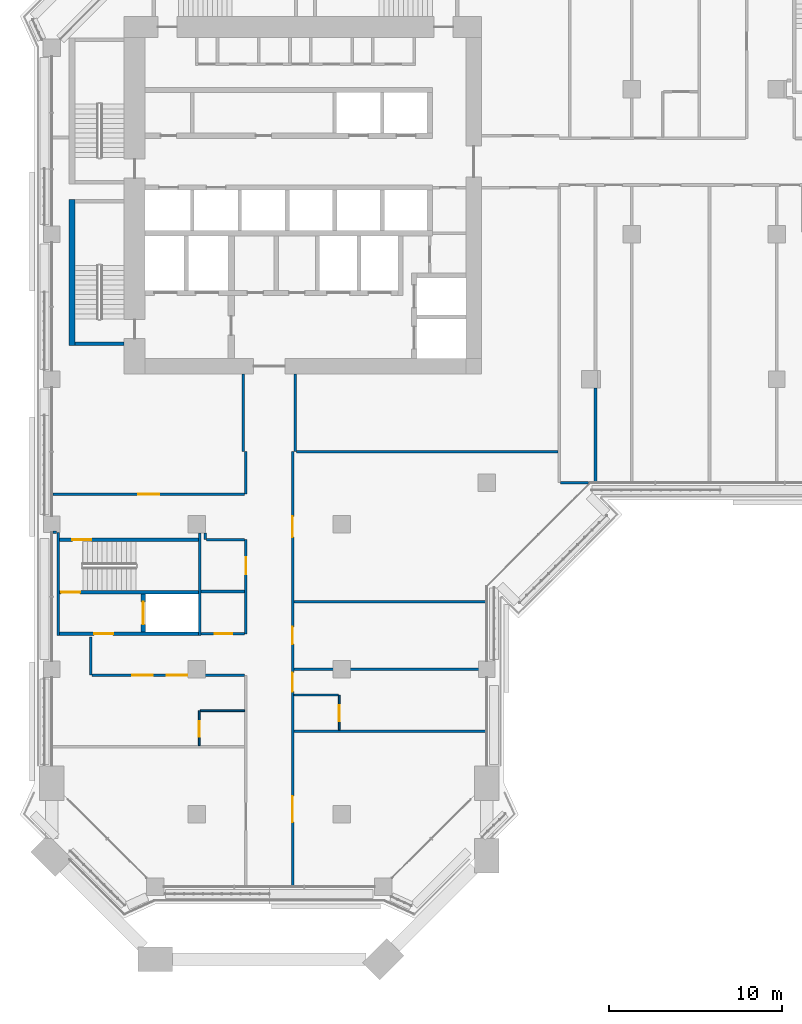
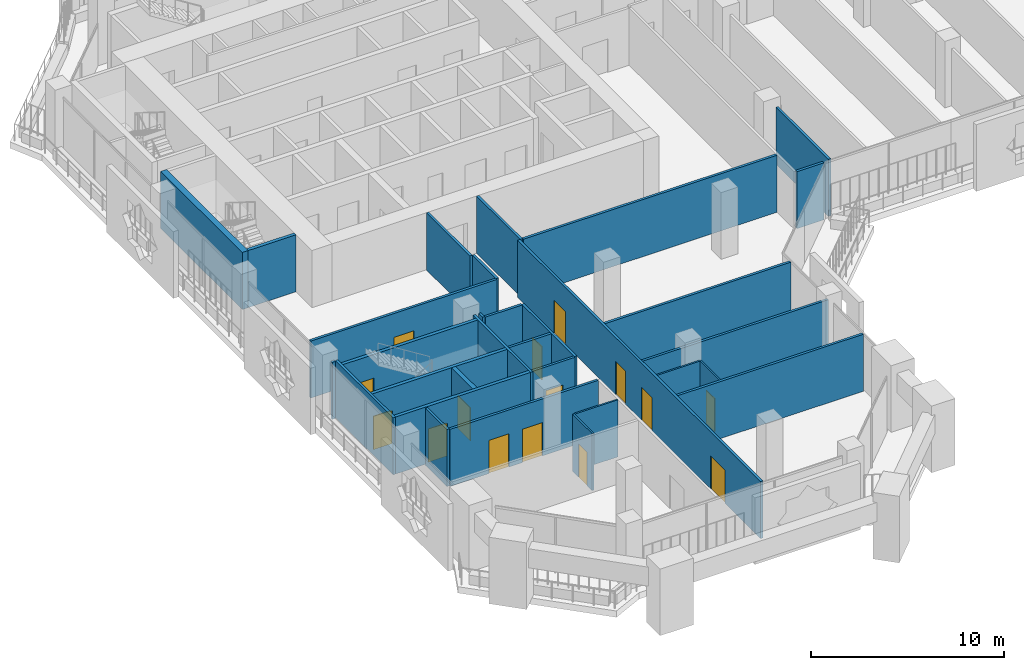
# One storey, part 10 of 23: 31 walls, 15 doors, 15 openings.
"""IFC4 building model written with IfcOpenShell, lengths in metres."""

from ifc_helpers import new_model, si_unit, direction, frame, frame_2d, origin, place, context, subcontext, project, spatial, rectangle, extrude, material, layer, layer_set, type_object, element, fill, save


model = new_model("IFC4")

# Units and contexts
model_context = context("Model", 3, precision=1e-05, world=origin(), true_north=direction((0.0, 1.0)))
body_context = subcontext(model_context, "Body", "Model", "MODEL_VIEW")
ifc_project = project(units=[si_unit("LENGTHUNIT", "METRE"), si_unit("AREAUNIT", "SQUARE_METRE"), si_unit("VOLUMEUNIT", "CUBIC_METRE"), si_unit("PLANEANGLEUNIT", "RADIAN"), si_unit("MASSUNIT", "GRAM", prefix="KILO")], contexts=[model_context])

# Site, building, storey
site_placement = place(None, origin())
site = spatial("IfcSite", under=ifc_project, at=site_placement, CompositionType="ELEMENT")
building_placement = place(site_placement, origin())
building = spatial("IfcBuilding", under=site, at=building_placement, Name="Kawkab Arch Medical Tower", CompositionType="ELEMENT")
storey_placement = place(building_placement, frame((0.0, 0.0, 175.199951171875)))
storey = spatial("IfcBuildingStorey", under=building, at=storey_placement, Name="L40", CompositionType="ELEMENT", Elevation=175.199951171875)

# Wall, opening, door
ifc_material_1 = material(Name="Concrete C60/75", Category="concrete")
ifc_layer_1 = layer(ifc_material_1, 0.25)
ifc_layer_set_1 = layer_set([ifc_layer_1], Name="Concrete C60/75")
wall_type_1 = type_object("IfcWallType", Name="Core shear wall 250 C60/75", PredefinedType="SHEAR", material=ifc_layer_set_1)
wall_1_placement = place(storey_placement, frame((5.300048828125, -39.85009765625, 0.0), z_axis=(0.0, 0.0, 1.0), x_axis=(0.0, 1.0, 0.0)))
wall_1 = element("IfcWall", 1, at=wall_1_placement, inside=storey, type_object=wall_type_1, Name="L40 core shear wall", PredefinedType="SHEAR", context=body_context, shape_type="SweptSolid", body=[
    extrude(rectangle(XDim=2.2001953125, YDim=0.25, at=frame_2d((1.10009765625, 0.0))), origin(), (0.0, 0.0, 1.0), 3.60009765625),
])
opening_1_placement = place(wall_1_placement, frame((0.449951171875, 0.0, 0.0)))
opening_1 = element("IfcOpeningElement", 2, at=opening_1_placement, cuts=wall_1, Name="Opening LD2", PredefinedType="OPENING", context=body_context, shape_type="SweptSolid", body=[
    extrude(rectangle(XDim=1.300048828125, YDim=2.10009765625, at=frame_2d((0.64990234375, 1.050048828125))), frame((0.0, 0.135009765625, 0.0), z_axis=(0.0, -1.0, 0.0), x_axis=(1.0, 0.0, 0.0)), (0.0, 0.0, 1.0), 0.27001953125),
])
ifc_material_2 = material(Name="Stainless steel lift door leaf", Category="steel")
door_type_1 = type_object("IfcDoorType", Name="Lift landing door 1300", OperationType="DOUBLE_DOOR_SLIDING", PredefinedType="DOOR", material=ifc_material_2)
door_1_placement = place(opening_1_placement, origin())
door_1 = element("IfcDoor", 3, at=door_1_placement, inside=storey, type_object=door_type_1, Name="L40 Lift landing door SV2", OperationType="DOUBLE_DOOR_SLIDING", OverallHeight=2.10009765625, OverallWidth=1.300048828125, PredefinedType="DOOR", context=body_context, shape_type="SweptSolid", body=[
    extrude(rectangle(XDim=1.300048828125, YDim=2.10009765625, at=frame_2d((0.64990234375, 1.050048828125))), frame((0.0, 0.02490234375, 0.0), z_axis=(0.0, -1.0, 0.0), x_axis=(1.0, 0.0, 0.0)), (0.0, 0.0, 1.0), 0.050048828125),
])
fill(opening_1, door_1)

# Walls
ifc_material_3 = material(Name="Gypsum board partition on steel studs", Category="steel")
ifc_layer_2 = layer(ifc_material_3, 0.10009765625)
ifc_layer_set_2 = layer_set([ifc_layer_2], Name="Gypsum board partition on steel studs")
wall_type_2 = type_object("IfcWallType", Name="Partition 100", PredefinedType="PARTITIONING", material=ifc_layer_set_2)
wall_2_placement = place(storey_placement, frame((8.60009765625, -44.39990234375, 0.0), z_axis=(0.0, 0.0, 1.0), x_axis=(1.0, 0.0, 0.0)))
element("IfcWall", 4, at=wall_2_placement, inside=storey, type_object=wall_type_2, Name="Partition 100 w001", PredefinedType="PARTITIONING", context=body_context, shape_type="SweptSolid", body=[
    extrude(rectangle(XDim=2.574951171875, YDim=0.10009765625, at=frame_2d((1.28759765625, 0.0))), origin(), (0.0, 0.0, 1.0), 3.60009765625),
])
wall_3_placement = place(storey_placement, frame((14.02490234375, -43.5, 0.0), z_axis=(0.0, 0.0, 1.0), x_axis=(1.0, 0.0, 0.0)))
element("IfcWall", 5, at=wall_3_placement, inside=storey, type_object=wall_type_2, Name="Partition 100 w002", PredefinedType="PARTITIONING", context=body_context, shape_type="SweptSolid", body=[
    extrude(rectangle(XDim=2.5751953125, YDim=0.10009765625, at=frame_2d((1.28759765625, 0.0))), origin(), (0.0, 0.0, 1.0), 3.60009765625),
])

# Wall, opening, door
wall_4_placement = place(storey_placement, frame((8.550048828125, -46.425048828125, 0.0), z_axis=(0.0, 0.0, 1.0), x_axis=(0.0, 1.0, 0.0)))
wall_4 = element("IfcWall", 6, at=wall_4_placement, inside=storey, type_object=wall_type_2, Name="Partition 100 w007", PredefinedType="PARTITIONING", context=body_context, shape_type="SweptSolid", body=[
    extrude(rectangle(XDim=2.025146484375, YDim=0.10009765625, at=frame_2d((1.0126953125, 0.0))), origin(), (0.0, 0.0, 1.0), 3.60009765625),
])
opening_2_placement = place(wall_4_placement, frame((0.52490234375, 0.0, 0.0)))
opening_2 = element("IfcOpeningElement", 7, at=opening_2_placement, cuts=wall_4, Name="Opening W40-010", PredefinedType="OPENING", context=body_context, shape_type="SweptSolid", body=[
    extrude(rectangle(XDim=0.89990234375, YDim=2.10009765625, at=frame_2d((0.449951171875, 1.050048828125))), frame((0.0, 0.06005859375, 0.0), z_axis=(0.0, -1.0, 0.0), x_axis=(1.0, 0.0, 0.0)), (0.0, 0.0, 1.0), 0.1201171875),
])
ifc_material_4 = material(Name="Timber door leaf", Category="wood")
door_type_2 = type_object("IfcDoorType", Name="Single door 900x2100", OperationType="NOTDEFINED", PredefinedType="DOOR", material=ifc_material_4)
door_2_placement = place(opening_2_placement, origin())
door_2 = element("IfcDoor", 8, at=door_2_placement, inside=storey, type_object=door_type_2, Name="Door W40-010", OperationType="SINGLE_SWING_LEFT", OverallHeight=2.10009765625, OverallWidth=0.89990234375, PredefinedType="DOOR", context=body_context, shape_type="SweptSolid", body=[
    extrude(rectangle(XDim=0.89990234375, YDim=2.10009765625, at=frame_2d((0.449951171875, 1.050048828125))), frame((0.0, 0.02490234375, 0.0), z_axis=(0.0, -1.0, 0.0), x_axis=(1.0, 0.0, 0.0)), (0.0, 0.0, 1.0), 0.050048828125),
])
fill(opening_2, door_2)

wall_5_placement = place(storey_placement, frame((16.64990234375, -45.52490234375, 0.0), z_axis=(0.0, 0.0, 1.0), x_axis=(0.0, 1.0, 0.0)))
wall_5 = element("IfcWall", 9, at=wall_5_placement, inside=storey, type_object=wall_type_2, Name="Partition 100 w008", PredefinedType="PARTITIONING", context=body_context, shape_type="SweptSolid", body=[
    extrude(rectangle(XDim=2.02490234375, YDim=0.10009765625, at=frame_2d((1.012451171875, 0.0))), origin(), (0.0, 0.0, 1.0), 3.60009765625),
])
opening_3_placement = place(wall_5_placement, frame((0.52490234375, 0.0, 0.0)))
opening_3 = element("IfcOpeningElement", 10, at=opening_3_placement, cuts=wall_5, Name="Opening W40-011", PredefinedType="OPENING", context=body_context, shape_type="SweptSolid", body=[
    extrude(rectangle(XDim=0.89990234375, YDim=2.10009765625, at=frame_2d((0.449951171875, 1.050048828125))), frame((0.0, 0.06005859375, 0.0), z_axis=(0.0, -1.0, 0.0), x_axis=(1.0, 0.0, 0.0)), (0.0, 0.0, 1.0), 0.1201171875),
])
door_3_placement = place(opening_3_placement, origin())
door_3 = element("IfcDoor", 11, at=door_3_placement, inside=storey, type_object=door_type_2, Name="Door W40-011", OperationType="SINGLE_SWING_LEFT", OverallHeight=2.10009765625, OverallWidth=0.89990234375, PredefinedType="DOOR", context=body_context, shape_type="SweptSolid", body=[
    extrude(rectangle(XDim=0.89990234375, YDim=2.10009765625, at=frame_2d((0.449951171875, 1.050048828125))), frame((0.0, 0.02490234375, 0.0), z_axis=(0.0, -1.0, 0.0), x_axis=(1.0, 0.0, 0.0)), (0.0, 0.0, 1.0), 0.050048828125),
])
fill(opening_3, door_3)

# Wall
ifc_material_5 = material(Name="Gypsum board partition on steel studs, mineral wool", Category="steel")
ifc_layer_3 = layer(ifc_material_5, 0.14990234375)
ifc_layer_set_3 = layer_set([ifc_layer_3], Name="Gypsum board partition on steel studs, mineral wool")
wall_type_3 = type_object("IfcWallType", Name="Partition 150", PredefinedType="PARTITIONING", material=ifc_layer_set_3)
wall_6_placement = place(storey_placement, frame((14.02490234375, -45.60009765625, 0.0), z_axis=(0.0, 0.0, 1.0), x_axis=(1.0, 0.0, 0.0)))
element("IfcWall", 12, at=wall_6_placement, inside=storey, type_object=wall_type_3, Name="Partition 150 w016", PredefinedType="PARTITIONING", context=body_context, shape_type="SweptSolid", body=[
    extrude(rectangle(XDim=11.09521484375, YDim=0.14990234375, at=frame_2d((5.547607421875, 0.0))), origin(), (0.0, 0.0, 1.0), 3.60009765625),
])

# Wall, openings, doors
wall_7_placement = place(storey_placement, frame((2.326904296875, -42.35009765625, 0.0), z_axis=(0.0, 0.0, 1.0), x_axis=(1.0, 0.0, 0.0)))
wall_7 = element("IfcWall", 13, at=wall_7_placement, inside=storey, type_object=wall_type_3, Name="Partition 150 w017", PredefinedType="PARTITIONING", context=body_context, shape_type="SweptSolid", body=[
    extrude(rectangle(XDim=8.84814453125, YDim=0.14990234375, at=frame_2d((4.424072265625, 0.0))), origin(), (0.0, 0.0, 1.0), 3.60009765625),
])
opening_4_placement = place(wall_7_placement, frame((4.323974609375, 0.0, 0.0)))
opening_4 = element("IfcOpeningElement", 14, at=opening_4_placement, cuts=wall_7, Name="Opening W40-034", PredefinedType="OPENING", context=body_context, shape_type="SweptSolid", body=[
    extrude(rectangle(XDim=1.199951171875, YDim=2.10009765625, at=frame_2d((0.60009765625, 1.050048828125))), frame((0.0, 0.0849609375, 0.0), z_axis=(0.0, -1.0, 0.0), x_axis=(1.0, 0.0, 0.0)), (0.0, 0.0, 1.0), 0.169921875),
])
opening_5_placement = place(wall_7_placement, frame((2.323974609375, 0.0, 0.0)))
opening_5 = element("IfcOpeningElement", 15, at=opening_5_placement, cuts=wall_7, Name="Opening W40-035", PredefinedType="OPENING", context=body_context, shape_type="SweptSolid", body=[
    extrude(rectangle(XDim=1.199951171875, YDim=2.10009765625, at=frame_2d((0.60009765625, 1.050048828125))), frame((0.0, 0.0849609375, 0.0), z_axis=(0.0, -1.0, 0.0), x_axis=(1.0, 0.0, 0.0)), (0.0, 0.0, 1.0), 0.169921875),
])
ifc_material_6 = material(Name="Hollow metal door leaf")
door_type_3 = type_object("IfcDoorType", Name="Single door 1200x2100 FD30S", OperationType="NOTDEFINED", PredefinedType="DOOR", material=ifc_material_6)
door_4_placement = place(opening_4_placement, origin())
door_4 = element("IfcDoor", 16, at=door_4_placement, inside=storey, type_object=door_type_3, Name="Door W40-034", OperationType="SINGLE_SWING_LEFT", OverallHeight=2.10009765625, OverallWidth=1.199951171875, PredefinedType="DOOR", context=body_context, shape_type="SweptSolid", body=[
    extrude(rectangle(XDim=1.199951171875, YDim=2.10009765625, at=frame_2d((0.60009765625, 1.050048828125))), frame((0.0, 0.02490234375, 0.0), z_axis=(0.0, -1.0, 0.0), x_axis=(1.0, 0.0, 0.0)), (0.0, 0.0, 1.0), 0.050048828125),
])
fill(opening_4, door_4)
door_5_placement = place(opening_5_placement, origin())
door_5 = element("IfcDoor", 17, at=door_5_placement, inside=storey, type_object=door_type_3, Name="Door W40-035", OperationType="SINGLE_SWING_RIGHT", OverallHeight=2.10009765625, OverallWidth=1.199951171875, PredefinedType="DOOR", context=body_context, shape_type="SweptSolid", body=[
    extrude(rectangle(XDim=1.199951171875, YDim=2.10009765625, at=frame_2d((0.60009765625, 1.050048828125))), frame((0.0, 0.02490234375, 0.0), z_axis=(0.0, -1.0, 0.0), x_axis=(1.0, 0.0, 0.0)), (0.0, 0.0, 1.0), 0.050048828125),
])
fill(opening_5, door_5)

# Wall
wall_8_placement = place(storey_placement, frame((14.02490234375, -42.0, 0.0), z_axis=(0.0, 0.0, 1.0), x_axis=(1.0, 0.0, 0.0)))
element("IfcWall", 18, at=wall_8_placement, inside=storey, type_object=wall_type_3, Name="Partition 150 w018", PredefinedType="PARTITIONING", context=body_context, shape_type="SweptSolid", body=[
    extrude(rectangle(XDim=11.09521484375, YDim=0.14990234375, at=frame_2d((5.547607421875, 0.0))), origin(), (0.0, 0.0, 1.0), 3.60009765625),
])

# Wall, opening, door
wall_9_placement = place(storey_placement, frame((8.64990234375, -39.949951171875, 0.0), z_axis=(0.0, 0.0, 1.0), x_axis=(1.0, 0.0, 0.0)))
wall_9 = element("IfcWall", 19, at=wall_9_placement, inside=storey, type_object=wall_type_3, Name="Partition 150 w019", PredefinedType="PARTITIONING", context=body_context, shape_type="SweptSolid", body=[
    extrude(rectangle(XDim=2.525146484375, YDim=0.14990234375, at=frame_2d((1.2626953125, 0.0))), origin(), (0.0, 0.0, 1.0), 3.60009765625),
])
opening_6_placement = place(wall_9_placement, frame((0.800048828125, 0.0, 0.0)))
opening_6 = element("IfcOpeningElement", 20, at=opening_6_placement, cuts=wall_9, Name="Opening W40-024", PredefinedType="OPENING", context=body_context, shape_type="SweptSolid", body=[
    extrude(rectangle(XDim=1.0, YDim=2.10009765625, at=frame_2d((0.5, 1.050048828125))), frame((0.0, 0.0849609375, 0.0), z_axis=(0.0, -1.0, 0.0), x_axis=(1.0, 0.0, 0.0)), (0.0, 0.0, 1.0), 0.169921875),
])
ifc_material_7 = material(Name="Hollow metal door leaf")
door_type_4 = type_object("IfcDoorType", Name="Single door 1000x2100 FD30S", OperationType="NOTDEFINED", PredefinedType="DOOR", material=ifc_material_7)
door_6_placement = place(opening_6_placement, origin())
door_6 = element("IfcDoor", 21, at=door_6_placement, inside=storey, type_object=door_type_4, Name="Door W40-024", OperationType="SINGLE_SWING_RIGHT", OverallHeight=2.10009765625, OverallWidth=1.0, PredefinedType="DOOR", context=body_context, shape_type="SweptSolid", body=[
    extrude(rectangle(XDim=1.0, YDim=2.10009765625, at=frame_2d((0.5, 1.050048828125))), frame((0.0, 0.02490234375, 0.0), z_axis=(0.0, -1.0, 0.0), x_axis=(1.0, 0.0, 0.0)), (0.0, 0.0, 1.0), 0.050048828125),
])
fill(opening_6, door_6)

# Walls
wall_10_placement = place(storey_placement, frame((14.02490234375, -38.10009765625, 0.0), z_axis=(0.0, 0.0, 1.0), x_axis=(1.0, 0.0, 0.0)))
element("IfcWall", 22, at=wall_10_placement, inside=storey, type_object=wall_type_3, Name="Partition 150 w020", PredefinedType="PARTITIONING", context=body_context, shape_type="SweptSolid", body=[
    extrude(rectangle(XDim=11.09521484375, YDim=0.14990234375, at=frame_2d((5.547607421875, 0.0))), origin(), (0.0, 0.0, 1.0), 3.60009765625),
])
wall_11_placement = place(storey_placement, frame((8.64990234375, -37.5, 0.0), z_axis=(0.0, 0.0, 1.0), x_axis=(1.0, 0.0, 0.0)))
element("IfcWall", 23, at=wall_11_placement, inside=storey, type_object=wall_type_3, Name="Partition 150 w021", PredefinedType="PARTITIONING", context=body_context, shape_type="SweptSolid", body=[
    extrude(rectangle(XDim=2.525146484375, YDim=0.14990234375, at=frame_2d((1.2626953125, 0.0))), origin(), (0.0, 0.0, 1.0), 3.60009765625),
])
wall_12_placement = place(storey_placement, frame((8.97509765625, -34.5, 0.0), z_axis=(0.0, 0.0, 1.0), x_axis=(1.0, 0.0, 0.0)))
element("IfcWall", 24, at=wall_12_placement, inside=storey, type_object=wall_type_3, Name="Partition 150 w022", PredefinedType="PARTITIONING", context=body_context, shape_type="SweptSolid", body=[
    extrude(rectangle(XDim=2.199951171875, YDim=0.14990234375, at=frame_2d((1.10009765625, 0.0))), origin(), (0.0, 0.0, 1.0), 3.60009765625),
])
wall_13_placement = place(storey_placement, frame((0.080078125, -34.074951171875, 0.0), z_axis=(0.0, 0.0, 1.0), x_axis=(1.0, 0.0, 0.0)))
element("IfcWall", 25, at=wall_13_placement, inside=storey, type_object=wall_type_3, Name="Partition 150 w023", PredefinedType="PARTITIONING", context=body_context, shape_type="SweptSolid", body=[
    extrude(rectangle(XDim=0.18994140625, YDim=0.14990234375, at=frame_2d((0.094970703125, 0.0))), origin(), (0.0, 0.0, 1.0), 3.60009765625),
])

# Wall, opening, door
wall_14_placement = place(storey_placement, frame((0.080078125, -31.85693359375, 0.0), z_axis=(0.0, 0.0, 1.0), x_axis=(1.0, 0.0, 0.0)))
wall_14 = element("IfcWall", 26, at=wall_14_placement, inside=storey, type_object=wall_type_3, Name="Partition 150 w024", PredefinedType="PARTITIONING", context=body_context, shape_type="SweptSolid", body=[
    extrude(rectangle(XDim=11.094970703125, YDim=0.14990234375, at=frame_2d((5.54736328125, 0.0))), origin(), (0.0, 0.0, 1.0), 3.60009765625),
])
opening_7_placement = place(wall_14_placement, frame((4.945068359375, 0.0, 0.0)))
opening_7 = element("IfcOpeningElement", 27, at=opening_7_placement, cuts=wall_14, Name="Opening W40-033", PredefinedType="OPENING", context=body_context, shape_type="SweptSolid", body=[
    extrude(rectangle(XDim=1.199951171875, YDim=2.10009765625, at=frame_2d((0.60009765625, 1.050048828125))), frame((0.0, 0.0849609375, 0.0), z_axis=(0.0, -1.0, 0.0), x_axis=(1.0, 0.0, 0.0)), (0.0, 0.0, 1.0), 0.169921875),
])
door_7_placement = place(opening_7_placement, origin())
door_7 = element("IfcDoor", 28, at=door_7_placement, inside=storey, type_object=door_type_3, Name="Door W40-033", OperationType="SINGLE_SWING_RIGHT", OverallHeight=2.10009765625, OverallWidth=1.199951171875, PredefinedType="DOOR", context=body_context, shape_type="SweptSolid", body=[
    extrude(rectangle(XDim=1.199951171875, YDim=2.10009765625, at=frame_2d((0.60009765625, 1.050048828125))), frame((0.0, 0.02490234375, 0.0), z_axis=(0.0, -1.0, 0.0), x_axis=(1.0, 0.0, 0.0)), (0.0, 0.0, 1.0), 0.050048828125),
])
fill(opening_7, door_7)

# Walls
wall_15_placement = place(storey_placement, frame((29.47705078125, -31.199951171875, 0.0), z_axis=(0.0, 0.0, 1.0), x_axis=(1.0, 0.0, 0.0)))
element("IfcWall", 29, at=wall_15_placement, inside=storey, type_object=wall_type_3, Name="Partition 150 w025", PredefinedType="PARTITIONING", context=body_context, shape_type="SweptSolid", body=[
    extrude(rectangle(XDim=1.60986328125, YDim=0.14990234375, at=frame_2d((0.804931640625, 0.0))), origin(), (0.0, 0.0, 1.0), 3.60009765625),
])
wall_16_placement = place(storey_placement, frame((14.175048828125, -29.39990234375, 0.0), z_axis=(0.0, 0.0, 1.0), x_axis=(1.0, 0.0, 0.0)))
element("IfcWall", 30, at=wall_16_placement, inside=storey, type_object=wall_type_3, Name="Partition 150 w026", PredefinedType="PARTITIONING", context=body_context, shape_type="SweptSolid", body=[
    extrude(rectangle(XDim=15.14990234375, YDim=0.14990234375, at=frame_2d((7.574951171875, 0.0))), origin(), (0.0, 0.0, 1.0), 3.60009765625),
])
wall_17_placement = place(storey_placement, frame((2.25, -42.34912109375, 0.0), z_axis=(0.0, 0.0, 1.0), x_axis=(0.0, 1.0, 0.0)))
element("IfcWall", 31, at=wall_17_placement, inside=storey, type_object=wall_type_3, Name="Partition 150 w037", PredefinedType="PARTITIONING", context=body_context, shape_type="SweptSolid", body=[
    extrude(rectangle(XDim=2.21923828125, YDim=0.14990234375, at=frame_2d((1.109619140625, 0.0))), origin(), (0.0, 0.0, 1.0), 3.60009765625),
])
wall_18_placement = place(storey_placement, frame((8.89990234375, -34.5, 0.0), z_axis=(0.0, 0.0, 1.0), x_axis=(0.0, 1.0, 0.0)))
element("IfcWall", 32, at=wall_18_placement, inside=storey, type_object=wall_type_3, Name="Partition 150 w038", PredefinedType="PARTITIONING", context=body_context, shape_type="SweptSolid", body=[
    extrude(rectangle(XDim=0.39892578125, YDim=0.14990234375, at=frame_2d((0.199462890625, 0.0))), origin(), (0.0, 0.0, 1.0), 3.60009765625),
])
wall_19_placement = place(storey_placement, frame((11.10009765625, -29.39794921875, 0.0), z_axis=(0.0, 0.0, 1.0), x_axis=(0.0, 1.0, 0.0)))
element("IfcWall", 33, at=wall_19_placement, inside=storey, type_object=wall_type_3, Name="Partition 150 w039", PredefinedType="PARTITIONING", context=body_context, shape_type="SweptSolid", body=[
    extrude(rectangle(XDim=4.498046875, YDim=0.14990234375, at=frame_2d((2.2490234375, 0.0))), origin(), (0.0, 0.0, 1.0), 3.60009765625),
])

# Wall, opening, door
wall_20_placement = place(storey_placement, frame((11.25, -39.949951171875, 0.0), z_axis=(0.0, 0.0, 1.0), x_axis=(0.0, 1.0, 0.0)))
wall_20 = element("IfcWall", 34, at=wall_20_placement, inside=storey, type_object=wall_type_3, Name="Partition 150 w041", PredefinedType="PARTITIONING", context=body_context, shape_type="SweptSolid", body=[
    extrude(rectangle(XDim=5.449951171875, YDim=0.14990234375, at=frame_2d((2.72509765625, 0.0))), origin(), (0.0, 0.0, 1.0), 3.60009765625),
])
opening_8_placement = place(wall_20_placement, frame((3.449951171875, 0.0, 0.0)))
opening_8 = element("IfcOpeningElement", 35, at=opening_8_placement, cuts=wall_20, Name="Opening W40-023", PredefinedType="OPENING", context=body_context, shape_type="SweptSolid", body=[
    extrude(rectangle(XDim=1.0, YDim=2.10009765625, at=frame_2d((0.5, 1.050048828125))), frame((0.0, 0.0849609375, 0.0), z_axis=(0.0, -1.0, 0.0), x_axis=(1.0, 0.0, 0.0)), (0.0, 0.0, 1.0), 0.169921875),
])
door_8_placement = place(opening_8_placement, origin())
door_8 = element("IfcDoor", 36, at=door_8_placement, inside=storey, type_object=door_type_4, Name="Door W40-023", OperationType="SINGLE_SWING_RIGHT", OverallHeight=2.10009765625, OverallWidth=1.0, PredefinedType="DOOR", context=body_context, shape_type="SweptSolid", body=[
    extrude(rectangle(XDim=1.0, YDim=2.10009765625, at=frame_2d((0.5, 1.050048828125))), frame((0.0, 0.02490234375, 0.0), z_axis=(0.0, -1.0, 0.0), x_axis=(1.0, 0.0, 0.0)), (0.0, 0.0, 1.0), 0.050048828125),
])
fill(opening_8, door_8)

# Wall
wall_21_placement = place(storey_placement, frame((11.25, -31.85693359375, 0.0), z_axis=(0.0, 0.0, 1.0), x_axis=(0.0, 1.0, 0.0)))
element("IfcWall", 37, at=wall_21_placement, inside=storey, type_object=wall_type_3, Name="Partition 150 w042", PredefinedType="PARTITIONING", context=body_context, shape_type="SweptSolid", body=[
    extrude(rectangle(XDim=2.45703125, YDim=0.14990234375, at=frame_2d((1.228515625, 0.0))), origin(), (0.0, 0.0, 1.0), 3.60009765625),
])

# Wall, openings, doors
wall_22_placement = place(storey_placement, frame((13.949951171875, -54.52001953125, 0.0), z_axis=(0.0, 0.0, 1.0), x_axis=(0.0, 1.0, 0.0)))
wall_22 = element("IfcWall", 38, at=wall_22_placement, inside=storey, type_object=wall_type_3, Name="Partition 150 w043", PredefinedType="PARTITIONING", context=body_context, shape_type="SweptSolid", body=[
    extrude(rectangle(XDim=25.1201171875, YDim=0.14990234375, at=frame_2d((12.56005859375, 0.0))), origin(), (0.0, 0.0, 1.0), 3.60009765625),
])
opening_9_placement = place(wall_22_placement, frame((20.169921875, 0.0, 0.0)))
opening_9 = element("IfcOpeningElement", 39, at=opening_9_placement, cuts=wall_22, Name="Opening W40-036", PredefinedType="OPENING", context=body_context, shape_type="SweptSolid", body=[
    extrude(rectangle(XDim=1.199951171875, YDim=2.10009765625, at=frame_2d((0.60009765625, 1.050048828125))), frame((0.0, 0.0849609375, 0.0), z_axis=(0.0, -1.0, 0.0), x_axis=(1.0, 0.0, 0.0)), (0.0, 0.0, 1.0), 0.169921875),
])
opening_10_placement = place(wall_22_placement, frame((13.969970703125, 0.0, 0.0)))
opening_10 = element("IfcOpeningElement", 40, at=opening_10_placement, cuts=wall_22, Name="Opening W40-025", PredefinedType="OPENING", context=body_context, shape_type="SweptSolid", body=[
    extrude(rectangle(XDim=1.0, YDim=2.10009765625, at=frame_2d((0.5, 1.050048828125))), frame((0.0, 0.0849609375, 0.0), z_axis=(0.0, -1.0, 0.0), x_axis=(1.0, 0.0, 0.0)), (0.0, 0.0, 1.0), 0.169921875),
])
opening_11_placement = place(wall_22_placement, frame((11.219970703125, 0.0, 0.0)))
opening_11 = element("IfcOpeningElement", 41, at=opening_11_placement, cuts=wall_22, Name="Opening W40-027", PredefinedType="OPENING", context=body_context, shape_type="SweptSolid", body=[
    extrude(rectangle(XDim=1.10009765625, YDim=2.10009765625, at=frame_2d((0.550048828125, 1.050048828125))), frame((0.0, 0.0849609375, 0.0), z_axis=(0.0, -1.0, 0.0), x_axis=(1.0, 0.0, 0.0)), (0.0, 0.0, 1.0), 0.169921875),
])
opening_12_placement = place(wall_22_placement, frame((3.669921875, 0.0, 0.0)))
opening_12 = element("IfcOpeningElement", 42, at=opening_12_placement, cuts=wall_22, Name="Opening W40-004", PredefinedType="OPENING", context=body_context, shape_type="SweptSolid", body=[
    extrude(rectangle(XDim=1.5, YDim=2.10009765625, at=frame_2d((0.75, 1.050048828125))), frame((0.0, 0.0849609375, 0.0), z_axis=(0.0, -1.0, 0.0), x_axis=(1.0, 0.0, 0.0)), (0.0, 0.0, 1.0), 0.169921875),
])
ifc_material_8 = material(Name="Hollow metal door leaf")
door_type_5 = type_object("IfcDoorType", Name="Double door 1500x2100 FD30S", OperationType="NOTDEFINED", PredefinedType="DOOR", material=ifc_material_8)
door_9_placement = place(opening_12_placement, origin())
door_9 = element("IfcDoor", 43, at=door_9_placement, inside=storey, type_object=door_type_5, Name="Door W40-004", OperationType="DOUBLE_DOOR_SINGLE_SWING", OverallHeight=2.10009765625, OverallWidth=1.5, PredefinedType="DOOR", context=body_context, shape_type="SweptSolid", body=[
    extrude(rectangle(XDim=1.5, YDim=2.10009765625, at=frame_2d((0.75, 1.050048828125))), frame((0.0, 0.02490234375, 0.0), z_axis=(0.0, -1.0, 0.0), x_axis=(1.0, 0.0, 0.0)), (0.0, 0.0, 1.0), 0.050048828125),
])
fill(opening_12, door_9)
door_10_placement = place(opening_10_placement, origin())
door_10 = element("IfcDoor", 44, at=door_10_placement, inside=storey, type_object=door_type_4, Name="Door W40-025", OperationType="SINGLE_SWING_LEFT", OverallHeight=2.10009765625, OverallWidth=1.0, PredefinedType="DOOR", context=body_context, shape_type="SweptSolid", body=[
    extrude(rectangle(XDim=1.0, YDim=2.10009765625, at=frame_2d((0.5, 1.050048828125))), frame((0.0, 0.02490234375, 0.0), z_axis=(0.0, -1.0, 0.0), x_axis=(1.0, 0.0, 0.0)), (0.0, 0.0, 1.0), 0.050048828125),
])
fill(opening_10, door_10)
ifc_material_9 = material(Name="Hollow metal door leaf")
door_type_6 = type_object("IfcDoorType", Name="Single door 1100x2100 FD30S", OperationType="NOTDEFINED", PredefinedType="DOOR", material=ifc_material_9)
door_11_placement = place(opening_11_placement, origin())
door_11 = element("IfcDoor", 45, at=door_11_placement, inside=storey, type_object=door_type_6, Name="Door W40-027", OperationType="SINGLE_SWING_RIGHT", OverallHeight=2.10009765625, OverallWidth=1.10009765625, PredefinedType="DOOR", context=body_context, shape_type="SweptSolid", body=[
    extrude(rectangle(XDim=1.10009765625, YDim=2.10009765625, at=frame_2d((0.550048828125, 1.050048828125))), frame((0.0, 0.02490234375, 0.0), z_axis=(0.0, -1.0, 0.0), x_axis=(1.0, 0.0, 0.0)), (0.0, 0.0, 1.0), 0.050048828125),
])
fill(opening_11, door_11)
door_12_placement = place(opening_9_placement, origin())
door_12 = element("IfcDoor", 46, at=door_12_placement, inside=storey, type_object=door_type_3, Name="Door W40-036", OperationType="SINGLE_SWING_LEFT", OverallHeight=2.10009765625, OverallWidth=1.199951171875, PredefinedType="DOOR", context=body_context, shape_type="SweptSolid", body=[
    extrude(rectangle(XDim=1.199951171875, YDim=2.10009765625, at=frame_2d((0.60009765625, 1.050048828125))), frame((0.0, 0.02490234375, 0.0), z_axis=(0.0, -1.0, 0.0), x_axis=(1.0, 0.0, 0.0)), (0.0, 0.0, 1.0), 0.050048828125),
])
fill(opening_9, door_12)

# Walls
wall_23_placement = place(storey_placement, frame((14.10009765625, -29.39990234375, 0.0), z_axis=(0.0, 0.0, 1.0), x_axis=(0.0, 1.0, 0.0)))
element("IfcWall", 47, at=wall_23_placement, inside=storey, type_object=wall_type_3, Name="Partition 150 w044", PredefinedType="PARTITIONING", context=body_context, shape_type="SweptSolid", body=[
    extrude(rectangle(XDim=4.5, YDim=0.14990234375, at=frame_2d((2.25, 0.0))), origin(), (0.0, 0.0, 1.0), 3.60009765625),
])
wall_24_placement = place(storey_placement, frame((31.5, -31.1201171875, 0.0), z_axis=(0.0, 0.0, 1.0), x_axis=(0.0, 1.0, 0.0)))
element("IfcWall", 48, at=wall_24_placement, inside=storey, type_object=wall_type_3, Name="Partition 150 w047", PredefinedType="PARTITIONING", context=body_context, shape_type="SweptSolid", body=[
    extrude(rectangle(XDim=5.418212890625, YDim=0.14990234375, at=frame_2d((2.708984375, 0.0))), origin(), (0.0, 0.0, 1.0), 3.60009765625),
])
ifc_material_10 = material(Name="Concrete C50/60", Category="concrete")
ifc_layer_4 = layer(ifc_material_10, 0.14990234375)
ifc_layer_set_4 = layer_set([ifc_layer_4], Name="Concrete C50/60")
wall_type_4 = type_object("IfcWallType", Name="Stair enclosure wall 150 C50/60", PredefinedType="SHEAR", material=ifc_layer_set_4)
wall_25_placement = place(storey_placement, frame((0.375, -40.050048828125, 0.0), z_axis=(0.0, 0.0, 1.0), x_axis=(0.0, 1.0, 0.0)))
element("IfcWall", 49, at=wall_25_placement, inside=storey, type_object=wall_type_4, Name="L40 stair enclosure wall", PredefinedType="SHEAR", context=body_context, shape_type="SweptSolid", body=[
    extrude(rectangle(XDim=5.97509765625, YDim=0.14990234375, at=frame_2d((2.987548828125, 0.0))), origin(), (0.0, 0.0, 1.0), 3.60009765625),
])
wall_26_placement = place(storey_placement, frame((8.574951171875, -40.050048828125, 0.0), z_axis=(0.0, 0.0, 1.0), x_axis=(0.0, 1.0, 0.0)))
element("IfcWall", 50, at=wall_26_placement, inside=storey, type_object=wall_type_4, Name="L40 stair enclosure wall", PredefinedType="SHEAR", context=body_context, shape_type="SweptSolid", body=[
    extrude(rectangle(XDim=5.949951171875, YDim=0.14990234375, at=frame_2d((2.97509765625, 0.0))), origin(), (0.0, 0.0, 1.0), 3.60009765625),
])
ifc_material_11 = material(Name="Concrete C50/60", Category="concrete")
ifc_layer_5 = layer(ifc_material_11, 0.199951171875)
ifc_layer_set_5 = layer_set([ifc_layer_5], Name="Concrete C50/60")
wall_type_5 = type_object("IfcWallType", Name="Stair enclosure wall 200 C50/60", PredefinedType="SHEAR", material=ifc_layer_set_5)
wall_27_placement = place(storey_placement, frame((1.35009765625, -23.14990234375, 0.0), z_axis=(0.0, 0.0, 1.0), x_axis=(1.0, 0.0, 0.0)))
element("IfcWall", 51, at=wall_27_placement, inside=storey, type_object=wall_type_5, Name="L40 stair enclosure wall", PredefinedType="SHEAR", context=body_context, shape_type="SweptSolid", body=[
    extrude(rectangle(XDim=2.849853515625, YDim=0.199951171875, at=frame_2d((1.4248046875, 0.0))), origin(), (0.0, 0.0, 1.0), 3.60009765625),
])

# Wall, opening, door
wall_28_placement = place(storey_placement, frame((0.449951171875, -34.5, 0.0), z_axis=(0.0, 0.0, 1.0), x_axis=(1.0, 0.0, 0.0)))
wall_28 = element("IfcWall", 52, at=wall_28_placement, inside=storey, type_object=wall_type_5, Name="L40 stair enclosure wall", PredefinedType="SHEAR", context=body_context, shape_type="SweptSolid", body=[
    extrude(rectangle(XDim=8.050048828125, YDim=0.199951171875, at=frame_2d((4.02490234375, 0.0))), origin(), (0.0, 0.0, 1.0), 3.60009765625),
])
opening_13_placement = place(wall_28_placement, frame((0.75, 0.0, 0.0)))
opening_13 = element("IfcOpeningElement", 53, at=opening_13_placement, cuts=wall_28, Name="Opening SD", PredefinedType="OPENING", context=body_context, shape_type="SweptSolid", body=[
    extrude(rectangle(XDim=1.10009765625, YDim=2.10009765625, at=frame_2d((0.550048828125, 1.050048828125))), frame((0.0, 0.10986328125, 0.0), z_axis=(0.0, -1.0, 0.0), x_axis=(1.0, 0.0, 0.0)), (0.0, 0.0, 1.0), 0.219970703125),
])
ifc_material_12 = material(Name="Hollow metal fire door leaf")
door_type_7 = type_object("IfcDoorType", Name="Exit stair door 1100", OperationType="SINGLE_SWING_LEFT", PredefinedType="DOOR", material=ifc_material_12)
door_13_placement = place(opening_13_placement, origin())
door_13 = element("IfcDoor", 54, at=door_13_placement, inside=storey, type_object=door_type_7, Name="L40 Exit stair ST6 door", OperationType="SINGLE_SWING_LEFT", OverallHeight=2.10009765625, OverallWidth=1.10009765625, PredefinedType="DOOR", context=body_context, shape_type="SweptSolid", body=[
    extrude(rectangle(XDim=1.10009765625, YDim=2.10009765625, at=frame_2d((0.550048828125, 1.050048828125))), frame((0.0, 0.02490234375, 0.0), z_axis=(0.0, -1.0, 0.0), x_axis=(1.0, 0.0, 0.0)), (0.0, 0.0, 1.0), 0.050048828125),
])
fill(opening_13, door_13)

wall_29_placement = place(storey_placement, frame((0.449951171875, -37.550048828125, 0.0), z_axis=(0.0, 0.0, 1.0), x_axis=(1.0, 0.0, 0.0)))
wall_29 = element("IfcWall", 55, at=wall_29_placement, inside=storey, type_object=wall_type_5, Name="L40 stair enclosure wall", PredefinedType="SHEAR", context=body_context, shape_type="SweptSolid", body=[
    extrude(rectangle(XDim=8.050048828125, YDim=0.199951171875, at=frame_2d((4.02490234375, 0.0))), origin(), (0.0, 0.0, 1.0), 3.60009765625),
])
opening_14_placement = place(wall_29_placement, frame((0.10009765625, 0.0, 0.0)))
opening_14 = element("IfcOpeningElement", 56, at=opening_14_placement, cuts=wall_29, Name="Opening SD", PredefinedType="OPENING", context=body_context, shape_type="SweptSolid", body=[
    extrude(rectangle(XDim=1.10009765625, YDim=2.10009765625, at=frame_2d((0.550048828125, 1.050048828125))), frame((0.0, 0.10986328125, 0.0), z_axis=(0.0, -1.0, 0.0), x_axis=(1.0, 0.0, 0.0)), (0.0, 0.0, 1.0), 0.219970703125),
])
door_14_placement = place(opening_14_placement, frame((1.10009765625, 0.0, 0.0), z_axis=(0.0, 0.0, 1.0), x_axis=(-1.0, 0.0, 0.0)))
door_14 = element("IfcDoor", 57, at=door_14_placement, inside=storey, type_object=door_type_7, Name="L40 Exit stair ST6 lobby door", OperationType="SINGLE_SWING_LEFT", OverallHeight=2.10009765625, OverallWidth=1.10009765625, PredefinedType="DOOR", context=body_context, shape_type="SweptSolid", body=[
    extrude(rectangle(XDim=1.10009765625, YDim=2.10009765625, at=frame_2d((0.550048828125, 1.050048828125))), frame((0.0, 0.02490234375, 0.0), z_axis=(0.0, -1.0, 0.0), x_axis=(1.0, 0.0, 0.0)), (0.0, 0.0, 1.0), 0.050048828125),
])
fill(opening_14, door_14)

wall_30_placement = place(storey_placement, frame((0.449951171875, -39.949951171875, 0.0), z_axis=(0.0, 0.0, 1.0), x_axis=(1.0, 0.0, 0.0)))
wall_30 = element("IfcWall", 58, at=wall_30_placement, inside=storey, type_object=wall_type_5, Name="L40 stair enclosure wall", PredefinedType="SHEAR", context=body_context, shape_type="SweptSolid", body=[
    extrude(rectangle(XDim=8.050048828125, YDim=0.199951171875, at=frame_2d((4.02490234375, 0.0))), origin(), (0.0, 0.0, 1.0), 3.60009765625),
])
opening_15_placement = place(wall_30_placement, frame((2.0, 0.0, 0.0)))
opening_15 = element("IfcOpeningElement", 59, at=opening_15_placement, cuts=wall_30, Name="Opening FD", PredefinedType="OPENING", context=body_context, shape_type="SweptSolid", body=[
    extrude(rectangle(XDim=1.10009765625, YDim=2.10009765625, at=frame_2d((0.550048828125, 1.050048828125))), frame((0.0, 0.10986328125, 0.0), z_axis=(0.0, -1.0, 0.0), x_axis=(1.0, 0.0, 0.0)), (0.0, 0.0, 1.0), 0.219970703125),
])
ifc_material_13 = material(Name="Hollow metal fire door leaf")
door_type_8 = type_object("IfcDoorType", Name="Firefighting lobby door 1100", OperationType="SINGLE_SWING_LEFT", PredefinedType="DOOR", material=ifc_material_13)
door_15_placement = place(opening_15_placement, origin())
door_15 = element("IfcDoor", 60, at=door_15_placement, inside=storey, type_object=door_type_8, Name="L40 Service lift lobby door SV2", OperationType="SINGLE_SWING_LEFT", OverallHeight=2.10009765625, OverallWidth=1.10009765625, PredefinedType="DOOR", context=body_context, shape_type="SweptSolid", body=[
    extrude(rectangle(XDim=1.10009765625, YDim=2.10009765625, at=frame_2d((0.550048828125, 1.050048828125))), frame((0.0, 0.02490234375, 0.0), z_axis=(0.0, -1.0, 0.0), x_axis=(1.0, 0.0, 0.0)), (0.0, 0.0, 1.0), 0.050048828125),
])
fill(opening_15, door_15)

# Wall
ifc_material_14 = material(Name="Concrete C50/60", Category="concrete")
ifc_layer_6 = layer(ifc_material_14, 0.35009765625)
ifc_layer_set_6 = layer_set([ifc_layer_6], Name="Concrete C50/60")
wall_type_6 = type_object("IfcWallType", Name="Stair enclosure wall 350 C50/60", PredefinedType="SHEAR", material=ifc_layer_set_6)
wall_31_placement = place(storey_placement, frame((1.175048828125, -23.25, 0.0), z_axis=(0.0, 0.0, 1.0), x_axis=(0.0, 1.0, 0.0)))
element("IfcWall", 61, at=wall_31_placement, inside=storey, type_object=wall_type_6, Name="L40 stair enclosure wall", PredefinedType="SHEAR", context=body_context, shape_type="SweptSolid", body=[
    extrude(rectangle(XDim=8.449951171875, YDim=0.35009765625, at=frame_2d((4.22509765625, 0.0))), origin(), (0.0, 0.0, 1.0), 3.60009765625),
])

save(model, "model.ifc")
